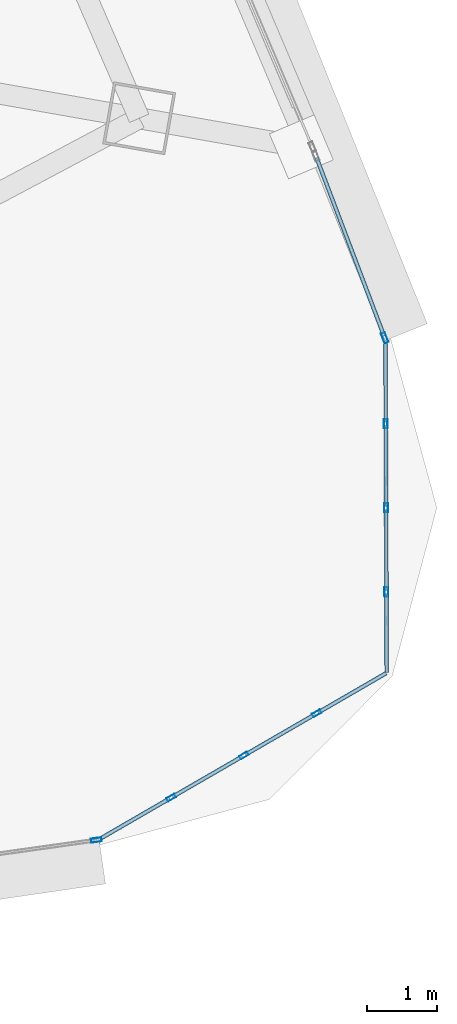
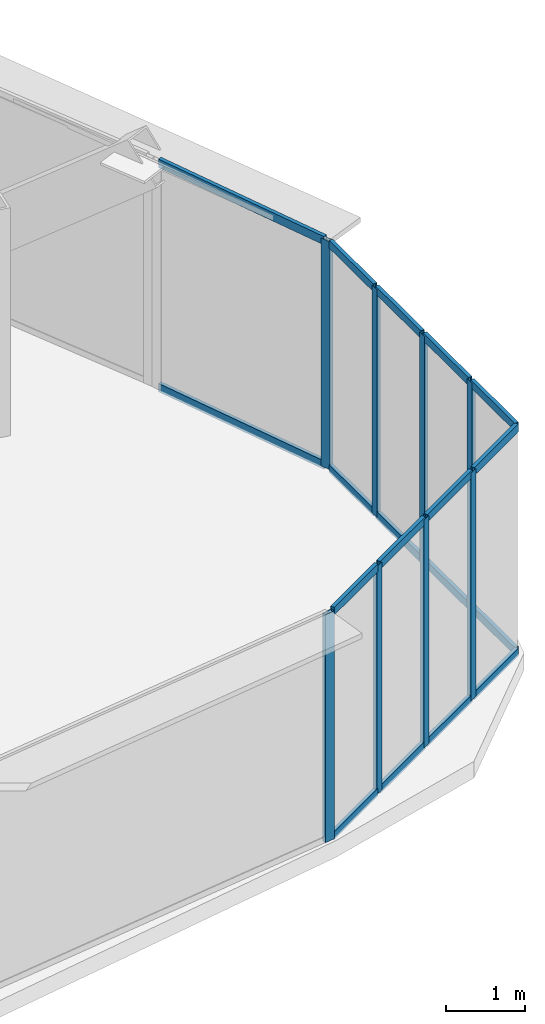
# One storey, part 24 of 40: 26 members, 4 elements without a shape of their own.
"""IFC4 building model written with IfcOpenShell, lengths in metres."""

from ifc_helpers import new_model, si_unit, direction, frame, origin, origin_2d, place, context, subcontext, project, spatial, hollow_rectangle, extrude, source, transform, mapped, material, layer, layer_set, material_profile, profile_set, type_object, element, aggregate, save


model = new_model("IFC4")

# Units and contexts
model_context = context("Model", 3, precision=1e-05, world=origin(), true_north=direction((0.0, 1.0)))
body_context = subcontext(model_context, "Body", "Model", "MODEL_VIEW")
ifc_project = project(units=[si_unit("LENGTHUNIT", "METRE"), si_unit("AREAUNIT", "SQUARE_METRE"), si_unit("VOLUMEUNIT", "CUBIC_METRE"), si_unit("PLANEANGLEUNIT", "RADIAN"), si_unit("MASSUNIT", "GRAM", prefix="KILO"), si_unit("THERMODYNAMICTEMPERATUREUNIT", "KELVIN"), si_unit("POWERUNIT", "WATT")], contexts=[model_context])

# Site, building, storey
site_placement = place(None, origin())
site = spatial("IfcSite", under=ifc_project, at=site_placement, CompositionType="ELEMENT")
building_placement = place(site_placement, origin())
building = spatial("IfcBuilding", under=site, at=building_placement, Name="Yunzhuo Pagoda Commons", CompositionType="ELEMENT")
storey_placement = place(building_placement, frame((0.0, 0.0, 188.56005859375)))
storey = spatial("IfcBuildingStorey", under=building, at=storey_placement, Name="L47", CompositionType="ELEMENT", Elevation=188.56005859375)

# Curtain wall, members
ifc_material = material(Name="Anodized aluminium 6063-T6", Category="aluminium")
ifc_layer_1 = layer(ifc_material, 0.1298828125)
ifc_layer_set_1 = layer_set([ifc_layer_1], Name="Anodized aluminium 6063-T6")
curtain_wall_type_1 = type_object("IfcCurtainWallType", Name="CW-VTX Rounded Corner Curtain Wall", PredefinedType="NOTDEFINED", material=ifc_layer_set_1)
curtain_wall_1_placement = place(storey_placement, origin())
curtain_wall_1 = element("IfcCurtainWall", 1, at=curtain_wall_1_placement, inside=storey, type_object=curtain_wall_type_1, Name="L47 curtain wall CW-L47-VTX2S1", PredefinedType="NOTDEFINED")
ifc_material_profile_1 = material_profile(ifc_material, hollow_rectangle(XDim=0.054931640625, YDim=0.1298828125, WallThickness=0.00341796875, at=origin_2d()), Name="Anodized aluminium 6063-T6")
ifc_profile_set_1 = profile_set([ifc_material_profile_1], Name="Anodized aluminium 6063-T6")
member_type_1 = type_object("IfcMemberType", Name="CW-VTX-M Mullion RHS 130x55x3.5", PredefinedType="MULLION", material=ifc_profile_set_1)
shared_shape_1 = source(origin(), body_context, "Body", "SweptSolid", [
    extrude(hollow_rectangle(XDim=0.054931640625, YDim=0.1298828125, WallThickness=0.00341796875, at=origin_2d()), origin(), (0.0, 0.0, 1.0), 3.5400390625),
])
member_1_placement = place(storey_placement, frame((83.66357421875, 17.789306640625, 0.0), z_axis=(0.0, 0.0, 1.0), x_axis=(-0.501040373263, 0.865423910208, 0.0)))
member_1 = element("IfcMember", 2, at=member_1_placement, type_object=member_type_1, Name="CW mullion 2", PredefinedType="MULLION", context=body_context, shape_type="MappedRepresentation", body=[
    mapped(shared_shape_1, transform((0.0, 0.0, 0.0), scale=1.0)),
])
member_2_placement = place(storey_placement, frame((84.702880859375, 18.390869140625, 0.0), z_axis=(0.0, 0.0, 1.0), x_axis=(-0.501040373263, 0.865423910208, 0.0)))
member_2 = element("IfcMember", 3, at=member_2_placement, type_object=member_type_1, Name="CW mullion 3", PredefinedType="MULLION", context=body_context, shape_type="MappedRepresentation", body=[
    mapped(shared_shape_1, transform((0.0, 0.0, 0.0), scale=1.0)),
])
member_3_placement = place(storey_placement, frame((85.742431640625, 18.99267578125, 0.0), z_axis=(0.0, 0.0, 1.0), x_axis=(-0.501040373263, 0.865423910208, 0.0)))
member_3 = element("IfcMember", 4, at=member_3_placement, type_object=member_type_1, Name="CW mullion 4", PredefinedType="MULLION", context=body_context, shape_type="MappedRepresentation", body=[
    mapped(shared_shape_1, transform((0.0, 0.0, 0.0), scale=1.0)),
])

curtain_wall_2_placement = place(storey_placement, origin())
curtain_wall_2 = element("IfcCurtainWall", 5, at=curtain_wall_2_placement, inside=storey, type_object=curtain_wall_type_1, Name="L47 curtain wall CW-L47-VTX2S2", PredefinedType="NOTDEFINED")
member_4_placement = place(storey_placement, frame((86.737548828125, 20.725830078125, 0.0), z_axis=(0.0, 0.0, 1.0), x_axis=(-0.99999359061, -0.003580326762, 0.0)))
member_4 = element("IfcMember", 6, at=member_4_placement, type_object=member_type_1, Name="CW mullion 2", PredefinedType="MULLION", context=body_context, shape_type="MappedRepresentation", body=[
    mapped(shared_shape_1, transform((0.0, 0.0, 0.0), scale=1.0)),
])
member_5_placement = place(storey_placement, frame((86.733154296875, 21.927001953125, 0.0), z_axis=(0.0, 0.0, 1.0), x_axis=(-0.99999359061, -0.003580326762, 0.0)))
member_5 = element("IfcMember", 7, at=member_5_placement, type_object=member_type_1, Name="CW mullion 3", PredefinedType="MULLION", context=body_context, shape_type="MappedRepresentation", body=[
    mapped(shared_shape_1, transform((0.0, 0.0, 0.0), scale=1.0)),
])
member_6_placement = place(storey_placement, frame((86.72900390625, 23.1279296875, 0.0), z_axis=(0.0, 0.0, 1.0), x_axis=(-0.99999359061, -0.003580326762, 0.0)))
member_6 = element("IfcMember", 8, at=member_6_placement, type_object=member_type_1, Name="CW mullion 4", PredefinedType="MULLION", context=body_context, shape_type="MappedRepresentation", body=[
    mapped(shared_shape_1, transform((0.0, 0.0, 0.0), scale=1.0)),
])

# Curtain wall, member
ifc_layer_2 = layer(ifc_material, 0.14990234375)
ifc_layer_set_2 = layer_set([ifc_layer_2], Name="Anodized aluminium 6063-T6")
curtain_wall_type_2 = type_object("IfcCurtainWallType", Name="CW-MID Mid-Zone Ribbon Curtain Wall", PredefinedType="NOTDEFINED", material=ifc_layer_set_2)
curtain_wall_3_placement = place(storey_placement, origin())
curtain_wall_3 = element("IfcCurtainWall", 9, at=curtain_wall_3_placement, inside=storey, type_object=curtain_wall_type_2, Name="L47 curtain wall CW-L47-F1B5", PredefinedType="NOTDEFINED")
ifc_material_profile_2 = material_profile(ifc_material, hollow_rectangle(XDim=0.06005859375, YDim=0.14990234375, WallThickness=0.00390625, at=origin_2d()), Name="Anodized aluminium 6063-T6")
ifc_profile_set_2 = profile_set([ifc_material_profile_2], Name="Anodized aluminium 6063-T6")
member_type_2 = type_object("IfcMemberType", Name="CW-MID-M Mullion RHS 150x60x4", PredefinedType="MULLION", material=ifc_profile_set_2)
shared_shape_2 = source(origin(), body_context, "Body", "SweptSolid", [
    extrude(hollow_rectangle(XDim=0.06005859375, YDim=0.14990234375, WallThickness=0.00390625, at=origin_2d()), origin(), (0.0, 0.0, 1.0), 3.5400390625),
])
member_7_placement = place(storey_placement, frame((82.594482421875, 17.183349609375, 0.0), z_axis=(0.0, 0.0, 1.0), x_axis=(-0.139233100351, 0.990259634524, 0.0)))
member_7 = element("IfcMember", 10, at=member_7_placement, type_object=member_type_2, Name="CW mullion 2", PredefinedType="MULLION", context=body_context, shape_type="MappedRepresentation", body=[
    mapped(shared_shape_2, transform((0.0, 0.0, 0.0), scale=1.0)),
])
aggregate(curtain_wall_3, [member_7])

# Curtain wall, members
curtain_wall_4_placement = place(storey_placement, origin())
curtain_wall_4 = element("IfcCurtainWall", 11, at=curtain_wall_4_placement, inside=storey, type_object=curtain_wall_type_2, Name="L47 curtain wall CW-L47-F2B1", PredefinedType="NOTDEFINED")
member_8_placement = place(storey_placement, frame((86.7138671875, 24.35693359375, 0.0), z_axis=(0.0, 0.0, 1.0), x_axis=(-0.935148483493, -0.354256000401, 0.0)))
member_8 = element("IfcMember", 12, at=member_8_placement, type_object=member_type_2, Name="CW mullion 1", PredefinedType="MULLION", context=body_context, shape_type="MappedRepresentation", body=[
    mapped(shared_shape_2, transform((0.0, 0.0, 0.0), scale=1.0)),
])
ifc_material_profile_3 = material_profile(ifc_material, hollow_rectangle(XDim=0.054931640625, YDim=0.1298828125, WallThickness=0.00341796875, at=origin_2d()), Name="Anodized aluminium 6063-T6")
ifc_profile_set_3 = profile_set([ifc_material_profile_3], Name="Anodized aluminium 6063-T6")
member_type_3 = type_object("IfcMemberType", Name="CW-MID-T Transom RHS 130x55x3.5", PredefinedType="USERDEFINED", material=ifc_profile_set_3)
shared_shape_3 = source(origin(), body_context, "Body", "SweptSolid", [
    extrude(hollow_rectangle(XDim=0.054931640625, YDim=0.1298828125, WallThickness=0.00341796875, at=origin_2d()), origin(), (0.0, 0.0, 1.0), 2.71875),
])
member_9_placement = place(storey_placement, frame((86.703369140625, 24.385009765625, 0.02734375), z_axis=(-0.354250859445, 0.935150430991, 0.0), x_axis=(-0.935150430991, -0.354250859445, 0.0)))
member_9 = element("IfcMember", 13, at=member_9_placement, type_object=member_type_3, Name="CW transom 1.1", ObjectType="TRANSOM", PredefinedType="USERDEFINED", context=body_context, shape_type="MappedRepresentation", body=[
    mapped(shared_shape_3, transform((0.0, 0.0, 0.0), scale=1.0)),
])
member_10_placement = place(storey_placement, frame((86.703369140625, 24.385009765625, 3.512451171875), z_axis=(-0.354250859445, 0.935150430991, 0.0), x_axis=(-0.935150430991, -0.354250859445, 0.0)))
member_10 = element("IfcMember", 14, at=member_10_placement, type_object=member_type_3, Name="CW transom 1.2", ObjectType="TRANSOM", PredefinedType="USERDEFINED", context=body_context, shape_type="MappedRepresentation", body=[
    mapped(shared_shape_3, transform((0.0, 0.0, 0.0), scale=1.0)),
])
aggregate(curtain_wall_4, [member_8, member_9, member_10])

# Member
ifc_material_profile_4 = material_profile(ifc_material, hollow_rectangle(XDim=0.054931640625, YDim=0.1201171875, WallThickness=0.00341796875, at=origin_2d()), Name="Anodized aluminium 6063-T6")
ifc_profile_set_4 = profile_set([ifc_material_profile_4], Name="Anodized aluminium 6063-T6")
member_type_4 = type_object("IfcMemberType", Name="CW-VTX-T Transom RHS 120x55x3.5", PredefinedType="USERDEFINED", material=ifc_profile_set_4)
shared_shape_4 = source(origin(), body_context, "Body", "SweptSolid", [
    extrude(hollow_rectangle(XDim=0.054931640625, YDim=0.1201171875, WallThickness=0.00341796875, at=origin_2d()), origin(), (0.0, 0.0, 1.0), 1.118408203125),
])
member_11_placement = place(storey_placement, frame((86.728759765625, 23.155517578125, 0.02734375), z_axis=(-0.003274376684, 0.999994639214, 0.0), x_axis=(-0.999994639214, -0.003274376684, 0.0)))
member_11 = element("IfcMember", 15, at=member_11_placement, type_object=member_type_4, Name="CW transom 4.1", ObjectType="TRANSOM", PredefinedType="USERDEFINED", context=body_context, shape_type="MappedRepresentation", body=[
    mapped(shared_shape_4, transform((0.0, 0.0, 0.0), scale=1.0)),
])

member_12_placement = place(storey_placement, frame((86.728759765625, 23.155517578125, 3.512451171875), z_axis=(-0.003274376684, 0.999994639214, 0.0), x_axis=(-0.999994639214, -0.003274376684, 0.0)))
member_12 = element("IfcMember", 16, at=member_12_placement, type_object=member_type_4, Name="CW transom 4.2", ObjectType="TRANSOM", PredefinedType="USERDEFINED", context=body_context, shape_type="MappedRepresentation", body=[
    mapped(shared_shape_4, transform((0.0, 0.0, 0.0), scale=1.0)),
])

shared_shape_5 = source(origin(), body_context, "Body", "SweptSolid", [
    extrude(hollow_rectangle(XDim=0.054931640625, YDim=0.1201171875, WallThickness=0.00341796875, at=origin_2d()), origin(), (0.0, 0.0, 1.0), 1.14599609375),
])
member_13_placement = place(storey_placement, frame((83.687255859375, 17.80322265625, 0.02734375), z_axis=(0.865542942623, 0.500834717722, 0.0), x_axis=(-0.500834717722, 0.865542942623, 0.0)))
member_13 = element("IfcMember", 17, at=member_13_placement, type_object=member_type_4, Name="CW transom 2.1", ObjectType="TRANSOM", PredefinedType="USERDEFINED", context=body_context, shape_type="MappedRepresentation", body=[
    mapped(shared_shape_5, transform((0.0, 0.0, 0.0), scale=1.0)),
])

member_14_placement = place(storey_placement, frame((83.687255859375, 17.80322265625, 3.512451171875), z_axis=(0.865542942623, 0.500834717722, 0.0), x_axis=(-0.500834717722, 0.865542942623, 0.0)))
member_14 = element("IfcMember", 18, at=member_14_placement, type_object=member_type_4, Name="CW transom 2.2", ObjectType="TRANSOM", PredefinedType="USERDEFINED", context=body_context, shape_type="MappedRepresentation", body=[
    mapped(shared_shape_5, transform((0.0, 0.0, 0.0), scale=1.0)),
])

member_15_placement = place(storey_placement, frame((86.7373046875, 20.75341796875, 0.02734375), z_axis=(-0.003408586931, 0.999994190751, 0.0), x_axis=(-0.999994190751, -0.003408586931, 0.0)))
member_15 = element("IfcMember", 19, at=member_15_placement, type_object=member_type_4, Name="CW transom 2.1", ObjectType="TRANSOM", PredefinedType="USERDEFINED", context=body_context, shape_type="MappedRepresentation", body=[
    mapped(shared_shape_5, transform((0.0, 0.0, 0.0), scale=1.0)),
])

member_16_placement = place(storey_placement, frame((86.7373046875, 20.75341796875, 3.512451171875), z_axis=(-0.003408586931, 0.999994190751, 0.0), x_axis=(-0.999994190751, -0.003408586931, 0.0)))
member_16 = element("IfcMember", 20, at=member_16_placement, type_object=member_type_4, Name="CW transom 2.2", ObjectType="TRANSOM", PredefinedType="USERDEFINED", context=body_context, shape_type="MappedRepresentation", body=[
    mapped(shared_shape_5, transform((0.0, 0.0, 0.0), scale=1.0)),
])

member_17_placement = place(storey_placement, frame((86.733154296875, 21.954345703125, 0.02734375), z_axis=(-0.003621620902, 0.99999344191, 0.0), x_axis=(-0.99999344191, -0.003621620902, 0.0)))
member_17 = element("IfcMember", 21, at=member_17_placement, type_object=member_type_4, Name="CW transom 3.1", ObjectType="TRANSOM", PredefinedType="USERDEFINED", context=body_context, shape_type="MappedRepresentation", body=[
    mapped(shared_shape_5, transform((0.0, 0.0, 0.0), scale=1.0)),
])

member_18_placement = place(storey_placement, frame((86.733154296875, 21.954345703125, 3.512451171875), z_axis=(-0.003621620902, 0.99999344191, 0.0), x_axis=(-0.99999344191, -0.003621620902, 0.0)))
member_18 = element("IfcMember", 22, at=member_18_placement, type_object=member_type_4, Name="CW transom 3.2", ObjectType="TRANSOM", PredefinedType="USERDEFINED", context=body_context, shape_type="MappedRepresentation", body=[
    mapped(shared_shape_5, transform((0.0, 0.0, 0.0), scale=1.0)),
])

shared_shape_6 = source(origin(), body_context, "Body", "SweptSolid", [
    extrude(hollow_rectangle(XDim=0.054931640625, YDim=0.1201171875, WallThickness=0.00341796875, at=origin_2d()), origin(), (0.0, 0.0, 1.0), 1.11865234375),
])
member_19_placement = place(storey_placement, frame((82.671875, 17.21484375, 0.02734375), z_axis=(0.865381453688, 0.501113699286, 0.0), x_axis=(-0.501113699286, 0.865381453688, 0.0)))
member_19 = element("IfcMember", 23, at=member_19_placement, type_object=member_type_4, Name="CW transom 1.1", ObjectType="TRANSOM", PredefinedType="USERDEFINED", context=body_context, shape_type="MappedRepresentation", body=[
    mapped(shared_shape_6, transform((0.0, 0.0, 0.0), scale=1.0)),
])

member_20_placement = place(storey_placement, frame((82.671875, 17.21484375, 3.512451171875), z_axis=(0.865381453688, 0.501113699286, 0.0), x_axis=(-0.501113699286, 0.865381453688, 0.0)))
member_20 = element("IfcMember", 24, at=member_20_placement, type_object=member_type_4, Name="CW transom 1.2", ObjectType="TRANSOM", PredefinedType="USERDEFINED", context=body_context, shape_type="MappedRepresentation", body=[
    mapped(shared_shape_6, transform((0.0, 0.0, 0.0), scale=1.0)),
])

member_21_placement = place(storey_placement, frame((85.76611328125, 19.00634765625, 0.02734375), z_axis=(0.865286801304, 0.501277120453, 0.0), x_axis=(-0.501277120453, 0.865286801304, 0.0)))
member_21 = element("IfcMember", 25, at=member_21_placement, type_object=member_type_4, Name="CW transom 4.1", ObjectType="TRANSOM", PredefinedType="USERDEFINED", context=body_context, shape_type="MappedRepresentation", body=[
    mapped(shared_shape_6, transform((0.0, 0.0, 0.0), scale=1.0)),
])

member_22_placement = place(storey_placement, frame((85.76611328125, 19.00634765625, 3.512451171875), z_axis=(0.865286801304, 0.501277120453, 0.0), x_axis=(-0.501277120453, 0.865286801304, 0.0)))
member_22 = element("IfcMember", 26, at=member_22_placement, type_object=member_type_4, Name="CW transom 4.2", ObjectType="TRANSOM", PredefinedType="USERDEFINED", context=body_context, shape_type="MappedRepresentation", body=[
    mapped(shared_shape_6, transform((0.0, 0.0, 0.0), scale=1.0)),
])

member_23_placement = place(storey_placement, frame((86.74169921875, 19.579833984375, 0.02734375), z_axis=(-0.003710144696, 0.999993117389, 0.0), x_axis=(-0.999993117389, -0.003710144696, 0.0)))
member_23 = element("IfcMember", 27, at=member_23_placement, type_object=member_type_4, Name="CW transom 1.1", ObjectType="TRANSOM", PredefinedType="USERDEFINED", context=body_context, shape_type="MappedRepresentation", body=[
    mapped(shared_shape_6, transform((0.0, 0.0, 0.0), scale=1.0)),
])

member_24_placement = place(storey_placement, frame((86.74169921875, 19.579833984375, 3.512451171875), z_axis=(-0.003710144696, 0.999993117389, 0.0), x_axis=(-0.999993117389, -0.003710144696, 0.0)))
member_24 = element("IfcMember", 28, at=member_24_placement, type_object=member_type_4, Name="CW transom 1.2", ObjectType="TRANSOM", PredefinedType="USERDEFINED", context=body_context, shape_type="MappedRepresentation", body=[
    mapped(shared_shape_6, transform((0.0, 0.0, 0.0), scale=1.0)),
])

aggregate(curtain_wall_2, [member_4, member_5, member_6, member_23, member_24, member_15, member_16, member_17, member_18, member_11, member_12])

shared_shape_7 = source(origin(), body_context, "Body", "SweptSolid", [
    extrude(hollow_rectangle(XDim=0.054931640625, YDim=0.1201171875, WallThickness=0.00341796875, at=origin_2d()), origin(), (0.0, 0.0, 1.0), 1.145751953125),
])
member_25_placement = place(storey_placement, frame((84.726806640625, 18.40478515625, 0.02734375), z_axis=(0.865489492245, 0.500927079337, 0.0), x_axis=(-0.500927079337, 0.865489492245, 0.0)))
member_25 = element("IfcMember", 29, at=member_25_placement, type_object=member_type_4, Name="CW transom 3.1", ObjectType="TRANSOM", PredefinedType="USERDEFINED", context=body_context, shape_type="MappedRepresentation", body=[
    mapped(shared_shape_7, transform((0.0, 0.0, 0.0), scale=1.0)),
])

member_26_placement = place(storey_placement, frame((84.726806640625, 18.40478515625, 3.512451171875), z_axis=(0.865489492245, 0.500927079337, 0.0), x_axis=(-0.500927079337, 0.865489492245, 0.0)))
member_26 = element("IfcMember", 30, at=member_26_placement, type_object=member_type_4, Name="CW transom 3.2", ObjectType="TRANSOM", PredefinedType="USERDEFINED", context=body_context, shape_type="MappedRepresentation", body=[
    mapped(shared_shape_7, transform((0.0, 0.0, 0.0), scale=1.0)),
])

aggregate(curtain_wall_1, [member_1, member_2, member_3, member_19, member_20, member_13, member_14, member_25, member_26, member_21, member_22])

save(model, "model.ifc")
